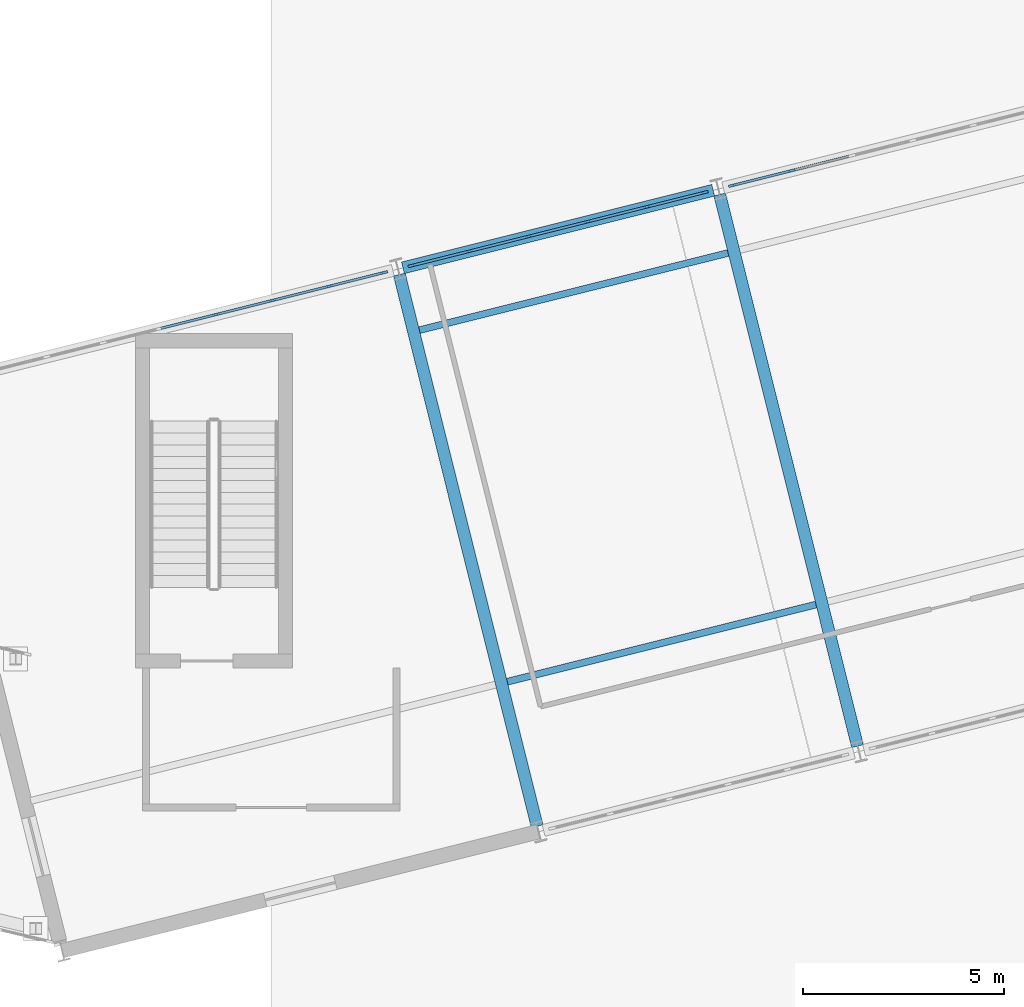
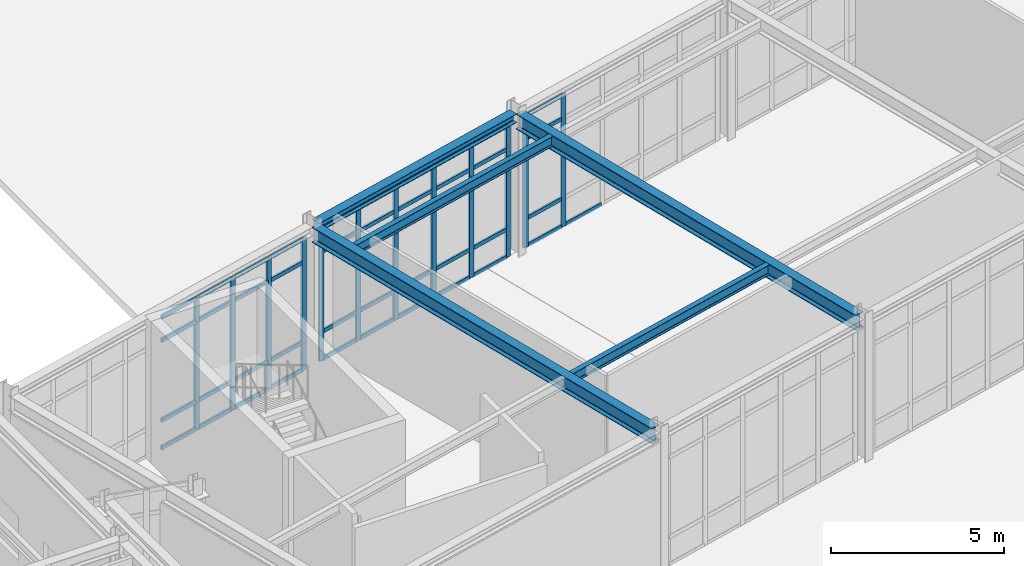
# One storey, part 26 of 109: 53 members, 5 beams, 3 elements without a shape of their own.
"""IFC4 building model written with IfcOpenShell, lengths in metres."""

from ifc_helpers import new_model, si_unit, direction, frame, origin, origin_2d, place, context, subcontext, project, spatial, rectangle, i_section, extrude, material, layer, layer_set, material_profile, profile_set, type_object, element, aggregate, save


model = new_model("IFC4")

# Units and contexts
model_context = context("Model", 3, precision=1e-05, world=origin(), true_north=direction((0.0, 1.0)))
body_context = subcontext(model_context, "Body", "Model", "MODEL_VIEW")
ifc_project = project(units=[si_unit("LENGTHUNIT", "METRE"), si_unit("AREAUNIT", "SQUARE_METRE"), si_unit("VOLUMEUNIT", "CUBIC_METRE"), si_unit("PLANEANGLEUNIT", "RADIAN"), si_unit("MASSUNIT", "GRAM", prefix="KILO")], contexts=[model_context])

# Site, building, storey
site_placement = place(None, origin())
site = spatial("IfcSite", under=ifc_project, at=site_placement, CompositionType="ELEMENT")
building_placement = place(site_placement, origin())
building = spatial("IfcBuilding", under=site, at=building_placement, Name="Nordkorset Police Headquarters", CompositionType="ELEMENT")
storey_placement = place(building_placement, origin())
storey = spatial("IfcBuildingStorey", under=building, at=storey_placement, Name="L00", CompositionType="ELEMENT", Elevation=0.0)

# Beams
ifc_material_1 = material(Name="Steel S355J2", Category="steel")
ifc_material_profile_1 = material_profile(ifc_material_1, i_section(OverallWidth=0.169921875, OverallDepth=0.360107421875, WebThickness=0.008056640625, FlangeThickness=0.0126953125, FilletRadius=0.01806640625, at=origin_2d()), Name="IPE 360")
ifc_profile_set_1 = profile_set([ifc_material_profile_1], Name="Steel S355J2")
beam_type_1 = type_object("IfcBeamType", Name="Beam_IPE_360", PredefinedType="BEAM", material=ifc_profile_set_1)
for number, where, z_axis, x_axis, name in (
    (1, (34.65966796875, 48.681884765625, 4.820068359375), (0.970142500145, 0.242535625036, 0.0), (-0.242535625036, 0.970142500145, 0.0), "Splayed Wing Secondary Beam L00 1-1"),
    (2, (32.476806640625, 57.4130859375, 4.820068359375), (0.970142500145, 0.242535625036, 0.0), (-0.242535625036, 0.970142500145, 0.0), "Splayed Wing Secondary Beam L00 1-2"),
):
    element("IfcBeam", number, at=place(storey_placement, frame(where, z_axis=z_axis, x_axis=x_axis)), inside=storey, type_object=beam_type_1, Name=name, PredefinedType="BEAM", context=body_context, shape_type="SweptSolid", body=[
        extrude(i_section(OverallWidth=0.169921875, OverallDepth=0.360107421875, WebThickness=0.008056640625, FlangeThickness=0.0126953125, FilletRadius=0.01806640625, at=origin_2d()), origin(), (0.0, 0.0, 1.0), 7.89990234375),
    ])

# Curtain wall, members
ifc_material_2 = material(Name="Aluminium alloy AW-6060", Category="aluminium")
ifc_layer_1 = layer(ifc_material_2, 0.179931640625, Name="Aluminium alloy AW-6060")
ifc_layer_set_1 = layer_set([ifc_layer_1], Name="Aluminium alloy AW-6060")
curtain_wall_type_1 = type_object("IfcCurtainWallType", Name="CW_Unit_1156x467", PredefinedType="USERDEFINED", material=ifc_layer_set_1)
curtain_wall_1_placement = place(storey_placement, origin())
curtain_wall_1 = element("IfcCurtainWall", 3, at=curtain_wall_1_placement, inside=storey, type_object=curtain_wall_type_1, Name="Unitised Curtain Wall L00 V4N-0", ObjectType="UNITISED CURTAIN WALL", PredefinedType="USERDEFINED")
ifc_material_3 = material(Name="Aluminium alloy AW-6060", Category="aluminium")
ifc_material_profile_2 = material_profile(ifc_material_3, rectangle(XDim=0.06494140625, YDim=0.179931640625, at=origin_2d()), Name="ALU MULL 65x180")
ifc_profile_set_2 = profile_set([ifc_material_profile_2], Name="Aluminium alloy AW-6060")
member_type_1 = type_object("IfcMemberType", Name="CW_Mullion_65x180", PredefinedType="MULLION", material=ifc_profile_set_2)
member_1_placement = place(storey_placement, frame((27.42724609375, 57.800048828125, 0.0), z_axis=(0.0, 0.0, 1.0), x_axis=(-0.242536235663, 0.970142347489, 0.0)))
member_1 = element("IfcMember", 4, at=member_1_placement, type_object=member_type_1, Name="CW-93 mullion 6", PredefinedType="MULLION", context=body_context, shape_type="SweptSolid", body=[
    extrude(rectangle(XDim=0.06494140625, YDim=0.179931640625, at=origin_2d()), origin(), (0.0, 0.0, 1.0), 4.669921875),
])
member_2_placement = place(storey_placement, frame((28.8291015625, 58.150390625, 0.0), z_axis=(0.0, 0.0, 1.0), x_axis=(-0.242536235663, 0.970142347489, 0.0)))
member_2 = element("IfcMember", 5, at=member_2_placement, type_object=member_type_1, Name="CW-93 mullion 7", PredefinedType="MULLION", context=body_context, shape_type="SweptSolid", body=[
    extrude(rectangle(XDim=0.06494140625, YDim=0.179931640625, at=origin_2d()), origin(), (0.0, 0.0, 1.0), 4.669921875),
])
member_3_placement = place(storey_placement, frame((30.23095703125, 58.5009765625, 0.0), z_axis=(0.0, 0.0, 1.0), x_axis=(-0.242536235663, 0.970142347489, 0.0)))
member_3 = element("IfcMember", 6, at=member_3_placement, type_object=member_type_1, Name="CW-93 mullion 8", PredefinedType="MULLION", context=body_context, shape_type="SweptSolid", body=[
    extrude(rectangle(XDim=0.06494140625, YDim=0.179931640625, at=origin_2d()), origin(), (0.0, 0.0, 1.0), 4.669921875),
])
member_4_placement = place(storey_placement, frame((31.601318359375, 58.843505859375, 0.0), z_axis=(0.0, 0.0, 1.0), x_axis=(-0.242536235663, 0.970142347489, 0.0)))
member_4 = element("IfcMember", 7, at=member_4_placement, type_object=member_type_1, Name="CW-93 mullion 9", PredefinedType="MULLION", context=body_context, shape_type="SweptSolid", body=[
    extrude(rectangle(XDim=0.06494140625, YDim=0.179931640625, at=origin_2d()), origin(), (0.0, 0.0, 1.0), 4.669921875),
])

ifc_material_4 = material(Name="Aluminium alloy AW-6060", Category="aluminium")
ifc_layer_2 = layer(ifc_material_4, 0.179931640625, Name="Aluminium alloy AW-6060")
ifc_layer_set_2 = layer_set([ifc_layer_2], Name="Aluminium alloy AW-6060")
curtain_wall_type_2 = type_object("IfcCurtainWallType", Name="CW_Unit_756x467", PredefinedType="USERDEFINED", material=ifc_layer_set_2)
curtain_wall_2_placement = place(storey_placement, origin())
curtain_wall_2 = element("IfcCurtainWall", 8, at=curtain_wall_2_placement, inside=storey, type_object=curtain_wall_type_2, Name="Unitised Curtain Wall L00 V4N-1", ObjectType="UNITISED CURTAIN WALL", PredefinedType="USERDEFINED")
member_5_placement = place(storey_placement, frame((32.28515625, 59.014404296875, 0.0), z_axis=(0.0, 0.0, 1.0), x_axis=(-0.242535625038, 0.970142500145, 0.0)))
member_5 = element("IfcMember", 9, at=member_5_placement, type_object=member_type_1, Name="CW-54 mullion 1", PredefinedType="MULLION", context=body_context, shape_type="SweptSolid", body=[
    extrude(rectangle(XDim=0.06494140625, YDim=0.179931640625, at=origin_2d()), origin(), (0.0, 0.0, 1.0), 4.669921875),
])
member_6_placement = place(storey_placement, frame((33.720458984375, 59.373291015625, 0.0), z_axis=(0.0, 0.0, 1.0), x_axis=(-0.242535625038, 0.970142500145, 0.0)))
member_6 = element("IfcMember", 10, at=member_6_placement, type_object=member_type_1, Name="CW-54 mullion 2", PredefinedType="MULLION", context=body_context, shape_type="SweptSolid", body=[
    extrude(rectangle(XDim=0.06494140625, YDim=0.179931640625, at=origin_2d()), origin(), (0.0, 0.0, 1.0), 4.669921875),
])
member_7_placement = place(storey_placement, frame((35.1875, 59.739990234375, 0.0), z_axis=(0.0, 0.0, 1.0), x_axis=(-0.242535625038, 0.970142500145, 0.0)))
member_7 = element("IfcMember", 11, at=member_7_placement, type_object=member_type_1, Name="CW-54 mullion 3", PredefinedType="MULLION", context=body_context, shape_type="SweptSolid", body=[
    extrude(rectangle(XDim=0.06494140625, YDim=0.179931640625, at=origin_2d()), origin(), (0.0, 0.0, 1.0), 4.669921875),
])
member_8_placement = place(storey_placement, frame((36.654296875, 60.106689453125, 0.0), z_axis=(0.0, 0.0, 1.0), x_axis=(-0.242535625038, 0.970142500145, 0.0)))
member_8 = element("IfcMember", 12, at=member_8_placement, type_object=member_type_1, Name="CW-54 mullion 4", PredefinedType="MULLION", context=body_context, shape_type="SweptSolid", body=[
    extrude(rectangle(XDim=0.06494140625, YDim=0.179931640625, at=origin_2d()), origin(), (0.0, 0.0, 1.0), 4.669921875),
])
member_9_placement = place(storey_placement, frame((38.12109375, 60.473388671875, 0.0), z_axis=(0.0, 0.0, 1.0), x_axis=(-0.242535625038, 0.970142500145, 0.0)))
member_9 = element("IfcMember", 13, at=member_9_placement, type_object=member_type_1, Name="CW-54 mullion 5", PredefinedType="MULLION", context=body_context, shape_type="SweptSolid", body=[
    extrude(rectangle(XDim=0.06494140625, YDim=0.179931640625, at=origin_2d()), origin(), (0.0, 0.0, 1.0), 4.669921875),
])
member_10_placement = place(storey_placement, frame((39.556396484375, 60.832275390625, 0.0), z_axis=(0.0, 0.0, 1.0), x_axis=(-0.242535625038, 0.970142500145, 0.0)))
member_10 = element("IfcMember", 14, at=member_10_placement, type_object=member_type_1, Name="CW-54 mullion 6", PredefinedType="MULLION", context=body_context, shape_type="SweptSolid", body=[
    extrude(rectangle(XDim=0.06494140625, YDim=0.179931640625, at=origin_2d()), origin(), (0.0, 0.0, 1.0), 4.669921875),
])

ifc_material_5 = material(Name="Aluminium alloy AW-6060", Category="aluminium")
ifc_layer_3 = layer(ifc_material_5, 0.179931640625, Name="Aluminium alloy AW-6060")
ifc_layer_set_3 = layer_set([ifc_layer_3], Name="Aluminium alloy AW-6060")
curtain_wall_type_3 = type_object("IfcCurtainWallType", Name="CW_Unit_776x467", PredefinedType="USERDEFINED", material=ifc_layer_set_3)
curtain_wall_3_placement = place(storey_placement, origin())
curtain_wall_3 = element("IfcCurtainWall", 15, at=curtain_wall_3_placement, inside=storey, type_object=curtain_wall_type_3, Name="Unitised Curtain Wall L00 V4N-2", ObjectType="UNITISED CURTAIN WALL", PredefinedType="USERDEFINED")
member_11_placement = place(storey_placement, frame((40.240478515625, 61.003173828125, 0.0), z_axis=(0.0, 0.0, 1.0), x_axis=(-0.242535928242, 0.970142424344, 0.0)))
member_11 = element("IfcMember", 16, at=member_11_placement, type_object=member_type_1, Name="CW-99 mullion 1", PredefinedType="MULLION", context=body_context, shape_type="SweptSolid", body=[
    extrude(rectangle(XDim=0.06494140625, YDim=0.179931640625, at=origin_2d()), origin(), (0.0, 0.0, 1.0), 4.669921875),
])
member_12_placement = place(storey_placement, frame((41.714599609375, 61.371826171875, 0.0), z_axis=(0.0, 0.0, 1.0), x_axis=(-0.242535928242, 0.970142424344, 0.0)))
member_12 = element("IfcMember", 17, at=member_12_placement, type_object=member_type_1, Name="CW-99 mullion 2", PredefinedType="MULLION", context=body_context, shape_type="SweptSolid", body=[
    extrude(rectangle(XDim=0.06494140625, YDim=0.179931640625, at=origin_2d()), origin(), (0.0, 0.0, 1.0), 4.669921875),
])

# Member
ifc_material_6 = material(Name="Aluminium alloy AW-6060", Category="aluminium")
ifc_material_profile_3 = material_profile(ifc_material_6, rectangle(XDim=0.06494140625, YDim=0.139892578125, at=origin_2d()), Name="ALU TRAN 65x140")
ifc_profile_set_3 = profile_set([ifc_material_profile_3], Name="Aluminium alloy AW-6060")
member_type_2 = type_object("IfcMemberType", Name="CW_Transom_65x140", PredefinedType="USERDEFINED", material=ifc_profile_set_3)
member_13_placement = place(storey_placement, frame((26.056884765625, 57.45751953125, 0.032470703125), z_axis=(0.970184112154, 0.242369116275, 0.0), x_axis=(-0.242369116275, 0.970184112154, 0.0)))
member_13 = element("IfcMember", 18, at=member_13_placement, type_object=member_type_2, Name="CW-93 transom 5.1", ObjectType="TRANSOM", PredefinedType="USERDEFINED", context=body_context, shape_type="SweptSolid", body=[
    extrude(rectangle(XDim=0.06494140625, YDim=0.139892578125, at=origin_2d()), origin(), (0.0, 0.0, 1.0), 1.380126953125),
])

member_14_placement = place(storey_placement, frame((26.056884765625, 57.45751953125, 1.0), z_axis=(0.970184112154, 0.242369116275, 0.0), x_axis=(-0.242369116275, 0.970184112154, 0.0)))
member_14 = element("IfcMember", 19, at=member_14_placement, type_object=member_type_2, Name="CW-93 transom 5.2", ObjectType="TRANSOM", PredefinedType="USERDEFINED", context=body_context, shape_type="SweptSolid", body=[
    extrude(rectangle(XDim=0.06494140625, YDim=0.139892578125, at=origin_2d()), origin(), (0.0, 0.0, 1.0), 1.380126953125),
])

member_15_placement = place(storey_placement, frame((26.056884765625, 57.45751953125, 3.820068359375), z_axis=(0.970184112154, 0.242369116275, 0.0), x_axis=(-0.242369116275, 0.970184112154, 0.0)))
member_15 = element("IfcMember", 20, at=member_15_placement, type_object=member_type_2, Name="CW-93 transom 5.3", ObjectType="TRANSOM", PredefinedType="USERDEFINED", context=body_context, shape_type="SweptSolid", body=[
    extrude(rectangle(XDim=0.06494140625, YDim=0.139892578125, at=origin_2d()), origin(), (0.0, 0.0, 1.0), 1.380126953125),
])

member_16_placement = place(storey_placement, frame((26.056884765625, 57.45751953125, 4.637451171875), z_axis=(0.970184112154, 0.242369116275, 0.0), x_axis=(-0.242369116275, 0.970184112154, 0.0)))
member_16 = element("IfcMember", 21, at=member_16_placement, type_object=member_type_2, Name="CW-93 transom 5.4", ObjectType="TRANSOM", PredefinedType="USERDEFINED", context=body_context, shape_type="SweptSolid", body=[
    extrude(rectangle(XDim=0.06494140625, YDim=0.139892578125, at=origin_2d()), origin(), (0.0, 0.0, 1.0), 1.380126953125),
])

member_17_placement = place(storey_placement, frame((27.458740234375, 57.807861328125, 0.032470703125), z_axis=(0.970142500145, 0.242535625036, 0.0), x_axis=(-0.242535625036, 0.970142500145, 0.0)))
member_17 = element("IfcMember", 22, at=member_17_placement, type_object=member_type_2, Name="CW-93 transom 6.1", ObjectType="TRANSOM", PredefinedType="USERDEFINED", context=body_context, shape_type="SweptSolid", body=[
    extrude(rectangle(XDim=0.06494140625, YDim=0.139892578125, at=origin_2d()), origin(), (0.0, 0.0, 1.0), 1.380126953125),
])

member_18_placement = place(storey_placement, frame((27.458740234375, 57.807861328125, 1.0), z_axis=(0.970142500145, 0.242535625036, 0.0), x_axis=(-0.242535625036, 0.970142500145, 0.0)))
member_18 = element("IfcMember", 23, at=member_18_placement, type_object=member_type_2, Name="CW-93 transom 6.2", ObjectType="TRANSOM", PredefinedType="USERDEFINED", context=body_context, shape_type="SweptSolid", body=[
    extrude(rectangle(XDim=0.06494140625, YDim=0.139892578125, at=origin_2d()), origin(), (0.0, 0.0, 1.0), 1.380126953125),
])

member_19_placement = place(storey_placement, frame((27.458740234375, 57.807861328125, 3.820068359375), z_axis=(0.970142500145, 0.242535625036, 0.0), x_axis=(-0.242535625036, 0.970142500145, 0.0)))
member_19 = element("IfcMember", 24, at=member_19_placement, type_object=member_type_2, Name="CW-93 transom 6.3", ObjectType="TRANSOM", PredefinedType="USERDEFINED", context=body_context, shape_type="SweptSolid", body=[
    extrude(rectangle(XDim=0.06494140625, YDim=0.139892578125, at=origin_2d()), origin(), (0.0, 0.0, 1.0), 1.380126953125),
])

member_20_placement = place(storey_placement, frame((27.458740234375, 57.807861328125, 4.637451171875), z_axis=(0.970142500145, 0.242535625036, 0.0), x_axis=(-0.242535625036, 0.970142500145, 0.0)))
member_20 = element("IfcMember", 25, at=member_20_placement, type_object=member_type_2, Name="CW-93 transom 6.4", ObjectType="TRANSOM", PredefinedType="USERDEFINED", context=body_context, shape_type="SweptSolid", body=[
    extrude(rectangle(XDim=0.06494140625, YDim=0.139892578125, at=origin_2d()), origin(), (0.0, 0.0, 1.0), 1.380126953125),
])

member_21_placement = place(storey_placement, frame((28.860595703125, 58.158447265625, 0.032470703125), z_axis=(0.970184112154, 0.242369116275, 0.0), x_axis=(-0.242369116275, 0.970184112154, 0.0)))
member_21 = element("IfcMember", 26, at=member_21_placement, type_object=member_type_2, Name="CW-93 transom 7.1", ObjectType="TRANSOM", PredefinedType="USERDEFINED", context=body_context, shape_type="SweptSolid", body=[
    extrude(rectangle(XDim=0.06494140625, YDim=0.139892578125, at=origin_2d()), origin(), (0.0, 0.0, 1.0), 1.380126953125),
])

member_22_placement = place(storey_placement, frame((28.860595703125, 58.158447265625, 1.0), z_axis=(0.970184112154, 0.242369116275, 0.0), x_axis=(-0.242369116275, 0.970184112154, 0.0)))
member_22 = element("IfcMember", 27, at=member_22_placement, type_object=member_type_2, Name="CW-93 transom 7.2", ObjectType="TRANSOM", PredefinedType="USERDEFINED", context=body_context, shape_type="SweptSolid", body=[
    extrude(rectangle(XDim=0.06494140625, YDim=0.139892578125, at=origin_2d()), origin(), (0.0, 0.0, 1.0), 1.380126953125),
])

member_23_placement = place(storey_placement, frame((28.860595703125, 58.158447265625, 3.820068359375), z_axis=(0.970184112154, 0.242369116275, 0.0), x_axis=(-0.242369116275, 0.970184112154, 0.0)))
member_23 = element("IfcMember", 28, at=member_23_placement, type_object=member_type_2, Name="CW-93 transom 7.3", ObjectType="TRANSOM", PredefinedType="USERDEFINED", context=body_context, shape_type="SweptSolid", body=[
    extrude(rectangle(XDim=0.06494140625, YDim=0.139892578125, at=origin_2d()), origin(), (0.0, 0.0, 1.0), 1.380126953125),
])

member_24_placement = place(storey_placement, frame((28.860595703125, 58.158447265625, 4.637451171875), z_axis=(0.970184112154, 0.242369116275, 0.0), x_axis=(-0.242369116275, 0.970184112154, 0.0)))
member_24 = element("IfcMember", 29, at=member_24_placement, type_object=member_type_2, Name="CW-93 transom 7.4", ObjectType="TRANSOM", PredefinedType="USERDEFINED", context=body_context, shape_type="SweptSolid", body=[
    extrude(rectangle(XDim=0.06494140625, YDim=0.139892578125, at=origin_2d()), origin(), (0.0, 0.0, 1.0), 1.380126953125),
])

member_25_placement = place(storey_placement, frame((30.262451171875, 58.5087890625, 0.032470703125), z_axis=(0.970131842518, 0.242578251565, 0.0), x_axis=(-0.242578251565, 0.970131842518, 0.0)))
member_25 = element("IfcMember", 30, at=member_25_placement, type_object=member_type_2, Name="CW-93 transom 8.1", ObjectType="TRANSOM", PredefinedType="USERDEFINED", context=body_context, shape_type="SweptSolid", body=[
    extrude(rectangle(XDim=0.06494140625, YDim=0.139892578125, at=origin_2d()), origin(), (0.0, 0.0, 1.0), 1.34765625),
])

member_26_placement = place(storey_placement, frame((30.262451171875, 58.5087890625, 1.0), z_axis=(0.970131842518, 0.242578251565, 0.0), x_axis=(-0.242578251565, 0.970131842518, 0.0)))
member_26 = element("IfcMember", 31, at=member_26_placement, type_object=member_type_2, Name="CW-93 transom 8.2", ObjectType="TRANSOM", PredefinedType="USERDEFINED", context=body_context, shape_type="SweptSolid", body=[
    extrude(rectangle(XDim=0.06494140625, YDim=0.139892578125, at=origin_2d()), origin(), (0.0, 0.0, 1.0), 1.34765625),
])

member_27_placement = place(storey_placement, frame((30.262451171875, 58.5087890625, 3.820068359375), z_axis=(0.970131842518, 0.242578251565, 0.0), x_axis=(-0.242578251565, 0.970131842518, 0.0)))
member_27 = element("IfcMember", 32, at=member_27_placement, type_object=member_type_2, Name="CW-93 transom 8.3", ObjectType="TRANSOM", PredefinedType="USERDEFINED", context=body_context, shape_type="SweptSolid", body=[
    extrude(rectangle(XDim=0.06494140625, YDim=0.139892578125, at=origin_2d()), origin(), (0.0, 0.0, 1.0), 1.34765625),
])

member_28_placement = place(storey_placement, frame((30.262451171875, 58.5087890625, 4.637451171875), z_axis=(0.970131842518, 0.242578251565, 0.0), x_axis=(-0.242578251565, 0.970131842518, 0.0)))
member_28 = element("IfcMember", 33, at=member_28_placement, type_object=member_type_2, Name="CW-93 transom 8.4", ObjectType="TRANSOM", PredefinedType="USERDEFINED", context=body_context, shape_type="SweptSolid", body=[
    extrude(rectangle(XDim=0.06494140625, YDim=0.139892578125, at=origin_2d()), origin(), (0.0, 0.0, 1.0), 1.34765625),
])

aggregate(curtain_wall_1, [member_1, member_2, member_3, member_4, member_13, member_14, member_15, member_16, member_17, member_18, member_19, member_20, member_21, member_22, member_23, member_24, member_25, member_26, member_27, member_28])

member_29_placement = place(storey_placement, frame((32.316650390625, 59.0224609375, 0.032470703125), z_axis=(0.970152651902, 0.242495014396, 0.0), x_axis=(-0.242495014396, 0.970152651902, 0.0)))
member_29 = element("IfcMember", 34, at=member_29_placement, type_object=member_type_2, Name="CW-54 transom 1.1", ObjectType="TRANSOM", PredefinedType="USERDEFINED", context=body_context, shape_type="SweptSolid", body=[
    extrude(rectangle(XDim=0.06494140625, YDim=0.139892578125, at=origin_2d()), origin(), (0.0, 0.0, 1.0), 1.41455078125),
])

member_30_placement = place(storey_placement, frame((32.316650390625, 59.0224609375, 1.0), z_axis=(0.970152651902, 0.242495014396, 0.0), x_axis=(-0.242495014396, 0.970152651902, 0.0)))
member_30 = element("IfcMember", 35, at=member_30_placement, type_object=member_type_2, Name="CW-54 transom 1.2", ObjectType="TRANSOM", PredefinedType="USERDEFINED", context=body_context, shape_type="SweptSolid", body=[
    extrude(rectangle(XDim=0.06494140625, YDim=0.139892578125, at=origin_2d()), origin(), (0.0, 0.0, 1.0), 1.41455078125),
])

member_31_placement = place(storey_placement, frame((32.316650390625, 59.0224609375, 3.820068359375), z_axis=(0.970152651902, 0.242495014396, 0.0), x_axis=(-0.242495014396, 0.970152651902, 0.0)))
member_31 = element("IfcMember", 36, at=member_31_placement, type_object=member_type_2, Name="CW-54 transom 1.3", ObjectType="TRANSOM", PredefinedType="USERDEFINED", context=body_context, shape_type="SweptSolid", body=[
    extrude(rectangle(XDim=0.06494140625, YDim=0.139892578125, at=origin_2d()), origin(), (0.0, 0.0, 1.0), 1.41455078125),
])

member_32_placement = place(storey_placement, frame((32.316650390625, 59.0224609375, 4.637451171875), z_axis=(0.970152651902, 0.242495014396, 0.0), x_axis=(-0.242495014396, 0.970152651902, 0.0)))
member_32 = element("IfcMember", 37, at=member_32_placement, type_object=member_type_2, Name="CW-54 transom 1.4", ObjectType="TRANSOM", PredefinedType="USERDEFINED", context=body_context, shape_type="SweptSolid", body=[
    extrude(rectangle(XDim=0.06494140625, YDim=0.139892578125, at=origin_2d()), origin(), (0.0, 0.0, 1.0), 1.41455078125),
])

member_33_placement = place(storey_placement, frame((33.751953125, 59.381103515625, 0.032470703125), z_axis=(0.97012264784, 0.242615020451, 0.0), x_axis=(-0.242615020451, 0.97012264784, 0.0)))
member_33 = element("IfcMember", 38, at=member_33_placement, type_object=member_type_2, Name="CW-54 transom 2.1", ObjectType="TRANSOM", PredefinedType="USERDEFINED", context=body_context, shape_type="SweptSolid", body=[
    extrude(rectangle(XDim=0.06494140625, YDim=0.139892578125, at=origin_2d()), origin(), (0.0, 0.0, 1.0), 1.447021484375),
])

member_34_placement = place(storey_placement, frame((33.751953125, 59.381103515625, 1.0), z_axis=(0.97012264784, 0.242615020451, 0.0), x_axis=(-0.242615020451, 0.97012264784, 0.0)))
member_34 = element("IfcMember", 39, at=member_34_placement, type_object=member_type_2, Name="CW-54 transom 2.2", ObjectType="TRANSOM", PredefinedType="USERDEFINED", context=body_context, shape_type="SweptSolid", body=[
    extrude(rectangle(XDim=0.06494140625, YDim=0.139892578125, at=origin_2d()), origin(), (0.0, 0.0, 1.0), 1.447021484375),
])

member_35_placement = place(storey_placement, frame((33.751953125, 59.381103515625, 3.820068359375), z_axis=(0.97012264784, 0.242615020451, 0.0), x_axis=(-0.242615020451, 0.97012264784, 0.0)))
member_35 = element("IfcMember", 40, at=member_35_placement, type_object=member_type_2, Name="CW-54 transom 2.3", ObjectType="TRANSOM", PredefinedType="USERDEFINED", context=body_context, shape_type="SweptSolid", body=[
    extrude(rectangle(XDim=0.06494140625, YDim=0.139892578125, at=origin_2d()), origin(), (0.0, 0.0, 1.0), 1.447021484375),
])

member_36_placement = place(storey_placement, frame((33.751953125, 59.381103515625, 4.637451171875), z_axis=(0.97012264784, 0.242615020451, 0.0), x_axis=(-0.242615020451, 0.97012264784, 0.0)))
member_36 = element("IfcMember", 41, at=member_36_placement, type_object=member_type_2, Name="CW-54 transom 2.4", ObjectType="TRANSOM", PredefinedType="USERDEFINED", context=body_context, shape_type="SweptSolid", body=[
    extrude(rectangle(XDim=0.06494140625, YDim=0.139892578125, at=origin_2d()), origin(), (0.0, 0.0, 1.0), 1.447021484375),
])

member_37_placement = place(storey_placement, frame((35.218994140625, 59.747802734375, 0.032470703125), z_axis=(0.97012264784, 0.242615020451, 0.0), x_axis=(-0.242615020451, 0.97012264784, 0.0)))
member_37 = element("IfcMember", 42, at=member_37_placement, type_object=member_type_2, Name="CW-54 transom 3.1", ObjectType="TRANSOM", PredefinedType="USERDEFINED", context=body_context, shape_type="SweptSolid", body=[
    extrude(rectangle(XDim=0.06494140625, YDim=0.139892578125, at=origin_2d()), origin(), (0.0, 0.0, 1.0), 1.447021484375),
])

member_38_placement = place(storey_placement, frame((35.218994140625, 59.747802734375, 1.0), z_axis=(0.97012264784, 0.242615020451, 0.0), x_axis=(-0.242615020451, 0.97012264784, 0.0)))
member_38 = element("IfcMember", 43, at=member_38_placement, type_object=member_type_2, Name="CW-54 transom 3.2", ObjectType="TRANSOM", PredefinedType="USERDEFINED", context=body_context, shape_type="SweptSolid", body=[
    extrude(rectangle(XDim=0.06494140625, YDim=0.139892578125, at=origin_2d()), origin(), (0.0, 0.0, 1.0), 1.447021484375),
])

member_39_placement = place(storey_placement, frame((35.218994140625, 59.747802734375, 3.820068359375), z_axis=(0.97012264784, 0.242615020451, 0.0), x_axis=(-0.242615020451, 0.97012264784, 0.0)))
member_39 = element("IfcMember", 44, at=member_39_placement, type_object=member_type_2, Name="CW-54 transom 3.3", ObjectType="TRANSOM", PredefinedType="USERDEFINED", context=body_context, shape_type="SweptSolid", body=[
    extrude(rectangle(XDim=0.06494140625, YDim=0.139892578125, at=origin_2d()), origin(), (0.0, 0.0, 1.0), 1.447021484375),
])

member_40_placement = place(storey_placement, frame((35.218994140625, 59.747802734375, 4.637451171875), z_axis=(0.97012264784, 0.242615020451, 0.0), x_axis=(-0.242615020451, 0.97012264784, 0.0)))
member_40 = element("IfcMember", 45, at=member_40_placement, type_object=member_type_2, Name="CW-54 transom 3.4", ObjectType="TRANSOM", PredefinedType="USERDEFINED", context=body_context, shape_type="SweptSolid", body=[
    extrude(rectangle(XDim=0.06494140625, YDim=0.139892578125, at=origin_2d()), origin(), (0.0, 0.0, 1.0), 1.447021484375),
])

member_41_placement = place(storey_placement, frame((36.685791015625, 60.11474609375, 0.032470703125), z_axis=(0.970162346765, 0.242456224748, 0.0), x_axis=(-0.242456224748, 0.970162346765, 0.0)))
member_41 = element("IfcMember", 46, at=member_41_placement, type_object=member_type_2, Name="CW-54 transom 4.1", ObjectType="TRANSOM", PredefinedType="USERDEFINED", context=body_context, shape_type="SweptSolid", body=[
    extrude(rectangle(XDim=0.06494140625, YDim=0.139892578125, at=origin_2d()), origin(), (0.0, 0.0, 1.0), 1.447021484375),
])

member_42_placement = place(storey_placement, frame((36.685791015625, 60.11474609375, 1.0), z_axis=(0.970162346765, 0.242456224748, 0.0), x_axis=(-0.242456224748, 0.970162346765, 0.0)))
member_42 = element("IfcMember", 47, at=member_42_placement, type_object=member_type_2, Name="CW-54 transom 4.2", ObjectType="TRANSOM", PredefinedType="USERDEFINED", context=body_context, shape_type="SweptSolid", body=[
    extrude(rectangle(XDim=0.06494140625, YDim=0.139892578125, at=origin_2d()), origin(), (0.0, 0.0, 1.0), 1.447021484375),
])

member_43_placement = place(storey_placement, frame((36.685791015625, 60.11474609375, 3.820068359375), z_axis=(0.970162346765, 0.242456224748, 0.0), x_axis=(-0.242456224748, 0.970162346765, 0.0)))
member_43 = element("IfcMember", 48, at=member_43_placement, type_object=member_type_2, Name="CW-54 transom 4.3", ObjectType="TRANSOM", PredefinedType="USERDEFINED", context=body_context, shape_type="SweptSolid", body=[
    extrude(rectangle(XDim=0.06494140625, YDim=0.139892578125, at=origin_2d()), origin(), (0.0, 0.0, 1.0), 1.447021484375),
])

member_44_placement = place(storey_placement, frame((36.685791015625, 60.11474609375, 4.637451171875), z_axis=(0.970162346765, 0.242456224748, 0.0), x_axis=(-0.242456224748, 0.970162346765, 0.0)))
member_44 = element("IfcMember", 49, at=member_44_placement, type_object=member_type_2, Name="CW-54 transom 4.4", ObjectType="TRANSOM", PredefinedType="USERDEFINED", context=body_context, shape_type="SweptSolid", body=[
    extrude(rectangle(XDim=0.06494140625, YDim=0.139892578125, at=origin_2d()), origin(), (0.0, 0.0, 1.0), 1.447021484375),
])

member_45_placement = place(storey_placement, frame((38.152587890625, 60.4814453125, 0.032470703125), z_axis=(0.970152651902, 0.242495014396, 0.0), x_axis=(-0.242495014396, 0.970152651902, 0.0)))
member_45 = element("IfcMember", 50, at=member_45_placement, type_object=member_type_2, Name="CW-54 transom 5.1", ObjectType="TRANSOM", PredefinedType="USERDEFINED", context=body_context, shape_type="SweptSolid", body=[
    extrude(rectangle(XDim=0.06494140625, YDim=0.139892578125, at=origin_2d()), origin(), (0.0, 0.0, 1.0), 1.41455078125),
])

member_46_placement = place(storey_placement, frame((38.152587890625, 60.4814453125, 1.0), z_axis=(0.970152651902, 0.242495014396, 0.0), x_axis=(-0.242495014396, 0.970152651902, 0.0)))
member_46 = element("IfcMember", 51, at=member_46_placement, type_object=member_type_2, Name="CW-54 transom 5.2", ObjectType="TRANSOM", PredefinedType="USERDEFINED", context=body_context, shape_type="SweptSolid", body=[
    extrude(rectangle(XDim=0.06494140625, YDim=0.139892578125, at=origin_2d()), origin(), (0.0, 0.0, 1.0), 1.41455078125),
])

member_47_placement = place(storey_placement, frame((38.152587890625, 60.4814453125, 3.820068359375), z_axis=(0.970152651902, 0.242495014396, 0.0), x_axis=(-0.242495014396, 0.970152651902, 0.0)))
member_47 = element("IfcMember", 52, at=member_47_placement, type_object=member_type_2, Name="CW-54 transom 5.3", ObjectType="TRANSOM", PredefinedType="USERDEFINED", context=body_context, shape_type="SweptSolid", body=[
    extrude(rectangle(XDim=0.06494140625, YDim=0.139892578125, at=origin_2d()), origin(), (0.0, 0.0, 1.0), 1.41455078125),
])

member_48_placement = place(storey_placement, frame((38.152587890625, 60.4814453125, 4.637451171875), z_axis=(0.970152651902, 0.242495014396, 0.0), x_axis=(-0.242495014396, 0.970152651902, 0.0)))
member_48 = element("IfcMember", 53, at=member_48_placement, type_object=member_type_2, Name="CW-54 transom 5.4", ObjectType="TRANSOM", PredefinedType="USERDEFINED", context=body_context, shape_type="SweptSolid", body=[
    extrude(rectangle(XDim=0.06494140625, YDim=0.139892578125, at=origin_2d()), origin(), (0.0, 0.0, 1.0), 1.41455078125),
])

aggregate(curtain_wall_2, [member_5, member_6, member_7, member_8, member_9, member_10, member_29, member_30, member_31, member_32, member_33, member_34, member_35, member_36, member_37, member_38, member_39, member_40, member_41, member_42, member_43, member_44, member_45, member_46, member_47, member_48])

member_49_placement = place(storey_placement, frame((40.27197265625, 61.01123046875, 0.032470703125), z_axis=(0.970132624514, 0.242575124143, 0.0), x_axis=(-0.242575124143, 0.970132624514, 0.0)))
member_49 = element("IfcMember", 54, at=member_49_placement, type_object=member_type_2, Name="CW-99 transom 1.1", ObjectType="TRANSOM", PredefinedType="USERDEFINED", context=body_context, shape_type="SweptSolid", body=[
    extrude(rectangle(XDim=0.06494140625, YDim=0.139892578125, at=origin_2d()), origin(), (0.0, 0.0, 1.0), 1.454345703125),
])

member_50_placement = place(storey_placement, frame((40.27197265625, 61.01123046875, 1.0), z_axis=(0.970132624514, 0.242575124143, 0.0), x_axis=(-0.242575124143, 0.970132624514, 0.0)))
member_50 = element("IfcMember", 55, at=member_50_placement, type_object=member_type_2, Name="CW-99 transom 1.2", ObjectType="TRANSOM", PredefinedType="USERDEFINED", context=body_context, shape_type="SweptSolid", body=[
    extrude(rectangle(XDim=0.06494140625, YDim=0.139892578125, at=origin_2d()), origin(), (0.0, 0.0, 1.0), 1.454345703125),
])

member_51_placement = place(storey_placement, frame((40.27197265625, 61.01123046875, 3.820068359375), z_axis=(0.970132624514, 0.242575124143, 0.0), x_axis=(-0.242575124143, 0.970132624514, 0.0)))
member_51 = element("IfcMember", 56, at=member_51_placement, type_object=member_type_2, Name="CW-99 transom 1.3", ObjectType="TRANSOM", PredefinedType="USERDEFINED", context=body_context, shape_type="SweptSolid", body=[
    extrude(rectangle(XDim=0.06494140625, YDim=0.139892578125, at=origin_2d()), origin(), (0.0, 0.0, 1.0), 1.454345703125),
])

member_52_placement = place(storey_placement, frame((40.27197265625, 61.01123046875, 4.637451171875), z_axis=(0.970132624514, 0.242575124143, 0.0), x_axis=(-0.242575124143, 0.970132624514, 0.0)))
member_52 = element("IfcMember", 57, at=member_52_placement, type_object=member_type_2, Name="CW-99 transom 1.4", ObjectType="TRANSOM", PredefinedType="USERDEFINED", context=body_context, shape_type="SweptSolid", body=[
    extrude(rectangle(XDim=0.06494140625, YDim=0.139892578125, at=origin_2d()), origin(), (0.0, 0.0, 1.0), 1.454345703125),
])

member_53_placement = place(storey_placement, frame((41.74609375, 61.379638671875, 0.032470703125), z_axis=(0.970152157148, 0.242496993757, 0.0), x_axis=(-0.242496993757, 0.970152157148, 0.0)))
member_53 = element("IfcMember", 58, at=member_53_placement, type_object=member_type_2, Name="CW-99 transom 2.1", ObjectType="TRANSOM", PredefinedType="USERDEFINED", context=body_context, shape_type="SweptSolid", body=[
    extrude(rectangle(XDim=0.06494140625, YDim=0.139892578125, at=origin_2d()), origin(), (0.0, 0.0, 1.0), 1.487060546875),
])

aggregate(curtain_wall_3, [member_11, member_12, member_49, member_50, member_51, member_52, member_53])

# Beams
ifc_material_7 = material(Name="Steel S355J2", Category="steel")
ifc_material_profile_4 = material_profile(ifc_material_7, i_section(OverallWidth=0.300048828125, OverallDepth=0.5400390625, WebThickness=0.012451171875, FlangeThickness=0.02392578125, FilletRadius=0.027099609375, at=origin_2d()), Name="HEA 550")
ifc_profile_set_4 = profile_set([ifc_material_profile_4], Name="Steel S355J2")
beam_type_2 = type_object("IfcBeamType", Name="Girder_HEA_550", PredefinedType="USERDEFINED", material=ifc_profile_set_4)
for number, where, z_axis, x_axis, name in (
    (59, (35.40185546875, 45.0947265625, 4.72998046875), (-0.24253155672, 0.970143517215, 0.0), (-0.970143517215, -0.24253155672, 0.0), "Splayed Wing Transverse Girder L00 1"),
    (60, (43.35693359375, 47.08349609375, 4.72998046875), (-0.24253155672, 0.970143517215, 0.0), (-0.970143517215, -0.24253155672, 0.0), "Splayed Wing Transverse Girder L00 2"),
):
    element("IfcBeam", number, at=place(storey_placement, frame(where, z_axis=z_axis, x_axis=x_axis)), inside=storey, type_object=beam_type_2, Name=name, ObjectType="GIRDER", PredefinedType="USERDEFINED", context=body_context, shape_type="SweptSolid", body=[
        extrude(i_section(OverallWidth=0.300048828125, OverallDepth=0.5400390625, WebThickness=0.012451171875, FlangeThickness=0.02392578125, FilletRadius=0.027099609375, at=origin_2d()), origin(), (0.0, 0.0, 1.0), 14.1201171875),
    ])
ifc_material_8 = material(Name="Steel S355J2", Category="steel")
ifc_material_profile_5 = material_profile(ifc_material_8, i_section(OverallWidth=0.300048828125, OverallDepth=0.31005859375, WebThickness=0.009033203125, FlangeThickness=0.015380859375, FilletRadius=0.027099609375, at=origin_2d()), Name="HEA 320")
ifc_profile_set_5 = profile_set([ifc_material_profile_5], Name="Steel S355J2")
beam_type_3 = type_object("IfcBeamType", Name="Spandrel_HEA_320", PredefinedType="SPANDREL", material=ifc_profile_set_5)
beam_placement = place(storey_placement, frame((32.0693359375, 58.96044921875, 4.844970703125), z_axis=(0.970140691393, 0.242542859932, 0.0), x_axis=(-0.242542859932, 0.970140691393, 0.0)))
element("IfcBeam", 61, at=beam_placement, inside=storey, type_object=beam_type_3, Name="Splayed Wing Spandrel L00 1-1", PredefinedType="SPANDREL", context=body_context, shape_type="SweptSolid", body=[
    extrude(i_section(OverallWidth=0.300048828125, OverallDepth=0.31005859375, WebThickness=0.009033203125, FlangeThickness=0.015380859375, FilletRadius=0.027099609375, at=origin_2d()), origin(), (0.0, 0.0, 1.0), 7.93994140625),
])

save(model, "model.ifc")
